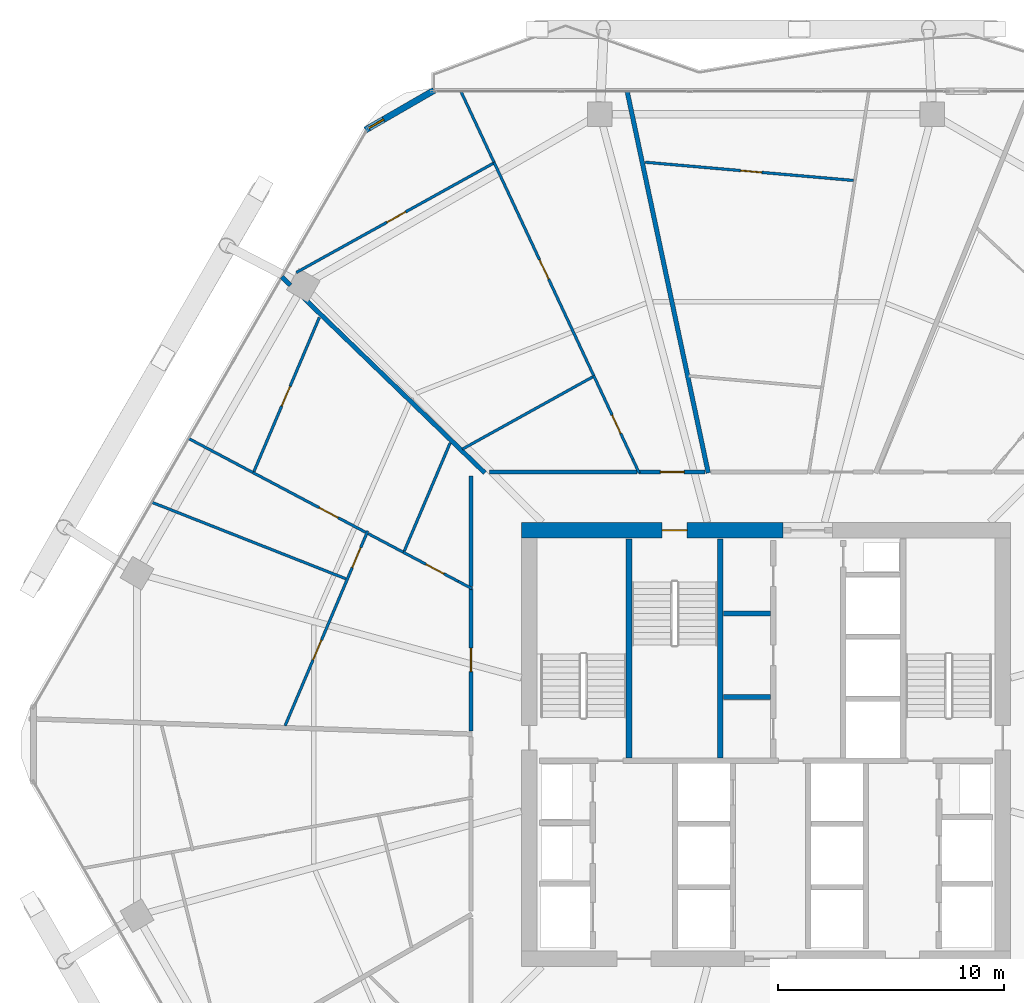
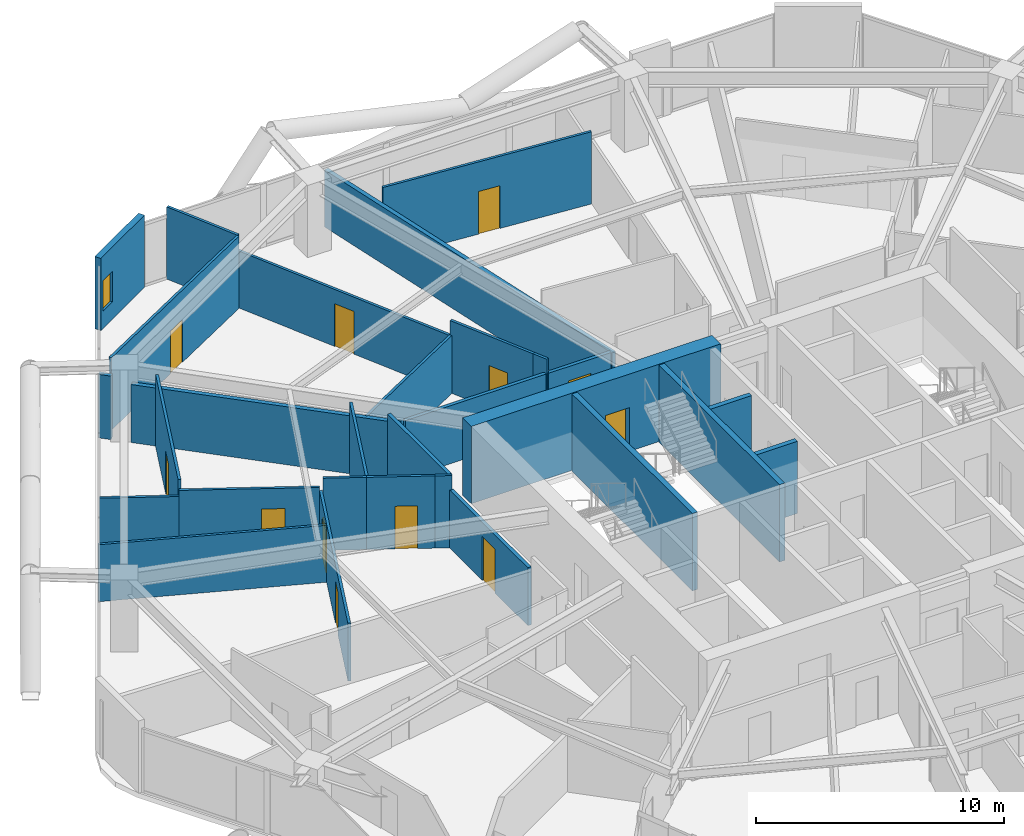
# One storey, part 30 of 35: 29 walls, 12 doors, 1 window, 13 openings.
"""IFC4 building model written with IfcOpenShell, lengths in metres."""

from ifc_helpers import new_model, si_unit, direction, frame, frame_2d, origin, place, context, subcontext, project, spatial, rectangle, extrude, material, layer, layer_set, type_object, element, fill, save


model = new_model("IFC4")

# Units and contexts
model_context = context("Model", 3, precision=1e-05, world=origin(), true_north=direction((0.0, 1.0)))
body_context = subcontext(model_context, "Body", "Model", "MODEL_VIEW")
ifc_project = project(units=[si_unit("LENGTHUNIT", "METRE"), si_unit("AREAUNIT", "SQUARE_METRE"), si_unit("VOLUMEUNIT", "CUBIC_METRE"), si_unit("PLANEANGLEUNIT", "RADIAN"), si_unit("MASSUNIT", "GRAM", prefix="KILO")], contexts=[model_context])

# Site, building, storey
site_placement = place(None, origin())
site = spatial("IfcSite", under=ifc_project, at=site_placement, CompositionType="ELEMENT")
building_placement = place(site_placement, origin())
building = spatial("IfcBuilding", under=site, at=building_placement, Name="Zuhravey Tower", CompositionType="ELEMENT")
storey_placement = place(building_placement, frame((0.0, 0.0, 138.0)))
storey = spatial("IfcBuildingStorey", under=building, at=storey_placement, Name="L34", CompositionType="ELEMENT", Elevation=138.0)

# Wall, opening, door
ifc_material_1 = material(Name="Concrete C60/75", Category="concrete")
ifc_layer_1 = layer(ifc_material_1, 0.699951171875)
ifc_layer_set_1 = layer_set([ifc_layer_1], Name="Concrete C60/75")
wall_type_1 = type_object("IfcWallType", Name="Core Shear Wall 700", PredefinedType="SHEAR", material=ifc_layer_set_1)
wall_1_placement = place(storey_placement, frame((36.75, 41.5, 0.0), z_axis=(0.0, 0.0, 1.0), x_axis=(-1.0, 0.0, 0.0)))
wall_1 = element("IfcWall", 1, at=wall_1_placement, inside=storey, type_object=wall_type_1, Name="L34 North-West Core Shear Wall CW70", PredefinedType="SHEAR", context=body_context, shape_type="SweptSolid", body=[
    extrude(rectangle(XDim=11.60009765625, YDim=0.699951171875, at=frame_2d((5.800048828125, 0.0))), origin(), (0.0, 0.0, 1.0), 3.800048828125),
])
opening_1_placement = place(wall_1_placement, frame((4.25, 0.0, 0.0)))
opening_1 = element("IfcOpeningElement", 2, at=opening_1_placement, cuts=wall_1, Name="Opening STD1", PredefinedType="OPENING", context=body_context, shape_type="SweptSolid", body=[
    extrude(rectangle(XDim=1.10009765625, YDim=2.14990234375, at=frame_2d((0.550048828125, 1.074951171875))), frame((0.0, 0.362060546875, 0.0), z_axis=(0.0, -1.0, 0.0), x_axis=(1.0, 0.0, 0.0)), (0.0, 0.0, 1.0), 0.723876953125),
])
ifc_material_2 = material(Name="Galvanised fire-rated steel leaf", Category="steel")
door_type_1 = type_object("IfcDoorType", Name="Protected Stair Fire Door 1100x2150", OperationType="NOTDEFINED", PredefinedType="USERDEFINED", material=ifc_material_2)
door_1_placement = place(opening_1_placement, origin())
door_1 = element("IfcDoor", 3, at=door_1_placement, inside=storey, type_object=door_type_1, Name="L34 Stair ST3 Door", ObjectType="EXITDOOR", OperationType="SINGLE_SWING_RIGHT", OverallHeight=2.14990234375, OverallWidth=1.10009765625, PredefinedType="USERDEFINED", context=body_context, shape_type="SweptSolid", body=[
    extrude(rectangle(XDim=1.10009765625, YDim=2.14990234375, at=frame_2d((0.550048828125, 1.074951171875))), frame((0.0, 0.02490234375, 0.0), z_axis=(0.0, -1.0, 0.0), x_axis=(1.0, 0.0, 0.0)), (0.0, 0.0, 1.0), 0.050048828125),
])
fill(opening_1, door_1)

ifc_material_3 = material(Name="Gypsum fire-rated stud partition")
ifc_layer_2 = layer(ifc_material_3, 0.159912109375)
ifc_layer_set_2 = layer_set([ifc_layer_2], Name="Gypsum fire-rated stud partition")
wall_type_2 = type_object("IfcWallType", Name="Corridor Fire Partition 160", PredefinedType="PARTITIONING", material=ifc_layer_set_2)
wall_2_placement = place(storey_placement, frame((33.301513671875, 44.080078125, 0.0), z_axis=(0.0, 0.0, 1.0), x_axis=(-1.0, 0.0, 0.0)))
wall_2 = element("IfcWall", 4, at=wall_2_placement, inside=storey, type_object=wall_type_2, Name="L34 IW16 Partition 032", PredefinedType="PARTITIONING", context=body_context, shape_type="SweptSolid", body=[
    extrude(rectangle(XDim=2.922607421875, YDim=0.159912109375, at=frame_2d((1.46142578125, 0.0))), origin(), (0.0, 0.0, 1.0), 2.85009765625),
])
opening_2_placement = place(wall_2_placement, frame((0.936279296875, 0.0, 0.0)))
opening_2 = element("IfcOpeningElement", 5, at=opening_2_placement, cuts=wall_2, Name="Opening APD1", PredefinedType="OPENING", context=body_context, shape_type="SweptSolid", body=[
    extrude(rectangle(XDim=1.050048828125, YDim=2.14990234375, at=frame_2d((0.52490234375, 1.074951171875))), frame((0.0, 0.092041015625, 0.0), z_axis=(0.0, -1.0, 0.0), x_axis=(1.0, 0.0, 0.0)), (0.0, 0.0, 1.0), 0.183837890625),
])
ifc_material_4 = material(Name="Solid-core oak fire-rated leaf")
door_type_2 = type_object("IfcDoorType", Name="Apartment Entrance Fire Door 1050x2150", OperationType="NOTDEFINED", PredefinedType="DOOR", material=ifc_material_4)
door_2_placement = place(opening_2_placement, frame((1.050048828125, 0.0, 0.0), z_axis=(0.0, 0.0, 1.0), x_axis=(-1.0, 0.0, 0.0)))
door_2 = element("IfcDoor", 6, at=door_2_placement, inside=storey, type_object=door_type_2, Name="L34 Door 032.1", OperationType="SINGLE_SWING_RIGHT", OverallHeight=2.14990234375, OverallWidth=1.050048828125, PredefinedType="DOOR", context=body_context, shape_type="SweptSolid", body=[
    extrude(rectangle(XDim=1.050048828125, YDim=2.14990234375, at=frame_2d((0.52490234375, 1.074951171875))), frame((0.0, 0.02490234375, 0.0), z_axis=(0.0, -1.0, 0.0), x_axis=(1.0, 0.0, 0.0)), (0.0, 0.0, 1.0), 0.050048828125),
])
fill(opening_2, door_2)

wall_3_placement = place(storey_placement, frame((22.919921875, 38.90869140625, 0.0), z_axis=(0.0, 0.0, 1.0), x_axis=(0.0, -1.0, 0.0)))
wall_3 = element("IfcWall", 7, at=wall_3_placement, inside=storey, type_object=wall_type_2, Name="L34 IW16 Partition 038", PredefinedType="PARTITIONING", context=body_context, shape_type="SweptSolid", body=[
    extrude(rectangle(XDim=6.317626953125, YDim=0.159912109375, at=frame_2d((3.15869140625, 0.0))), origin(), (0.0, 0.0, 1.0), 2.85009765625),
])
opening_3_placement = place(wall_3_placement, frame((2.6337890625, 0.0, 0.0)))
opening_3 = element("IfcOpeningElement", 8, at=opening_3_placement, cuts=wall_3, Name="Opening APD1", PredefinedType="OPENING", context=body_context, shape_type="SweptSolid", body=[
    extrude(rectangle(XDim=1.050048828125, YDim=2.14990234375, at=frame_2d((0.52490234375, 1.074951171875))), frame((0.0, 0.092041015625, 0.0), z_axis=(0.0, -1.0, 0.0), x_axis=(1.0, 0.0, 0.0)), (0.0, 0.0, 1.0), 0.183837890625),
])
door_3_placement = place(opening_3_placement, frame((1.050048828125, 0.0, 0.0), z_axis=(0.0, 0.0, 1.0), x_axis=(-1.0, 0.0, 0.0)))
door_3 = element("IfcDoor", 9, at=door_3_placement, inside=storey, type_object=door_type_2, Name="L34 Door 038.1", OperationType="SINGLE_SWING_RIGHT", OverallHeight=2.14990234375, OverallWidth=1.050048828125, PredefinedType="DOOR", context=body_context, shape_type="SweptSolid", body=[
    extrude(rectangle(XDim=1.050048828125, YDim=2.14990234375, at=frame_2d((0.52490234375, 1.074951171875))), frame((0.0, 0.02490234375, 0.0), z_axis=(0.0, -1.0, 0.0), x_axis=(1.0, 0.0, 0.0)), (0.0, 0.0, 1.0), 0.050048828125),
])
fill(opening_3, door_3)

# Walls
wall_4_placement = place(storey_placement, frame((30.28173828125, 44.080078125, 0.0), z_axis=(0.0, 0.0, 1.0), x_axis=(-1.0, 0.0, 0.0)))
element("IfcWall", 10, at=wall_4_placement, inside=storey, type_object=wall_type_2, Name="L34 IW16 Partition 124", PredefinedType="PARTITIONING", context=body_context, shape_type="SweptSolid", body=[
    extrude(rectangle(XDim=6.5458984375, YDim=0.159912109375, at=frame_2d((3.27294921875, 0.0))), origin(), (0.0, 0.0, 1.0), 2.85009765625),
])
wall_5_placement = place(storey_placement, frame((22.919921875, 43.89990234375, 0.0), z_axis=(0.0, 0.0, 1.0), x_axis=(0.0, -1.0, 0.0)))
element("IfcWall", 11, at=wall_5_placement, inside=storey, type_object=wall_type_2, Name="L34 IW16 Partition 125", PredefinedType="PARTITIONING", context=body_context, shape_type="SweptSolid", body=[
    extrude(rectangle(XDim=4.8916015625, YDim=0.159912109375, at=frame_2d((2.44580078125, 0.0))), origin(), (0.0, 0.0, 1.0), 3.550048828125),
])

# Wall, opening, window
ifc_material_5 = material(Name="Precast concrete C40/50", Category="concrete")
ifc_layer_3 = layer(ifc_material_5, 0.280029296875)
ifc_layer_set_3 = layer_set([ifc_layer_3], Name="Precast concrete C40/50")
wall_type_3 = type_object("IfcWallType", Name="Crown Architectural Wall 280", PredefinedType="SOLIDWALL", material=ifc_layer_set_3)
wall_6_placement = place(storey_placement, frame((18.23876953125, 59.24853515625, 0.0), z_axis=(0.0, 0.0, 1.0), x_axis=(0.866007452331, 0.500031091541, 0.0)))
wall_6 = element("IfcWall", 12, at=wall_6_placement, inside=storey, type_object=wall_type_3, Name="L34 Rounded Corner Closure Wall EW28-08", PredefinedType="SOLIDWALL", context=body_context, shape_type="SweptSolid", body=[
    extrude(rectangle(XDim=3.514892578125, YDim=0.280029296875, at=frame_2d((1.75732421875, 0.0))), origin(), (0.0, 0.0, 1.0), 3.550048828125),
])
opening_4_placement = place(wall_6_placement, frame((0.18212890625, 0.0, 0.85009765625)))
opening_4 = element("IfcOpeningElement", 13, at=opening_4_placement, cuts=wall_6, Name="Opening WN5", PredefinedType="OPENING", context=body_context, shape_type="SweptSolid", body=[
    extrude(rectangle(XDim=0.75, YDim=1.5, at=frame_2d((0.375, 0.75))), frame((0.0, 0.152099609375, 0.0), z_axis=(0.0, -1.0, 0.0), x_axis=(1.0, 0.0, 0.0)), (0.0, 0.0, 1.0), 0.303955078125),
])
ifc_material_6 = material(Name="Thermally broken aluminium and triple low-E glass", Category="aluminium")
window_type = type_object("IfcWindowType", Name="Residential Corner Casement Window 750x1500", PartitioningType="SINGLE_PANEL", PredefinedType="WINDOW", material=ifc_material_6)
window_placement = place(opening_4_placement, origin())
window = element("IfcWindow", 14, at=window_placement, inside=storey, type_object=window_type, Name="L34 Corner Casement Window WN5-08.1", OverallHeight=1.5, OverallWidth=0.75, PartitioningType="SINGLE_PANEL", PredefinedType="WINDOW", context=body_context, shape_type="SweptSolid", body=[
    extrude(rectangle(XDim=0.75, YDim=1.5, at=frame_2d((0.375, 0.75))), frame((0.0, 0.030029296875, 0.0), z_axis=(0.0, -1.0, 0.0), x_axis=(1.0, 0.0, 0.0)), (0.0, 0.0, 1.0), 0.06005859375),
])
fill(opening_4, window)

# Walls
ifc_material_7 = material(Name="Concrete C50/60", Category="concrete")
ifc_layer_4 = layer(ifc_material_7, 0.25)
ifc_layer_set_4 = layer_set([ifc_layer_4], Name="Concrete C50/60")
wall_type_4 = type_object("IfcWallType", Name="Firefighting Shaft & Stair Wall 250", PredefinedType="SOLIDWALL", material=ifc_layer_set_4)
for number, where, z_axis, x_axis, name in (
    (15, (29.925048828125, 31.39990234375, 0.0), (0.0, 0.0, 1.0), (0.0, 1.0, 0.0), "L34 FW25 Shaft Wall 004"),
    (16, (33.97509765625, 31.39990234375, 0.0), (0.0, 0.0, 1.0), (0.0, 1.0, 0.0), "L34 FW25 Shaft Wall 005"),
):
    element("IfcWall", number, at=place(storey_placement, frame(where, z_axis=z_axis, x_axis=x_axis)), inside=storey, type_object=wall_type_4, Name=name, PredefinedType="SOLIDWALL", context=body_context, shape_type="SweptSolid", body=[
        extrude(rectangle(XDim=9.7001953125, YDim=0.25, at=frame_2d((4.85009765625, 0.0))), origin(), (0.0, 0.0, 1.0), 3.800048828125),
    ])
ifc_material_8 = material(Name="Gypsum double-stud party assembly")
ifc_layer_5 = layer(ifc_material_8, 0.199951171875)
ifc_layer_set_5 = layer_set([ifc_layer_5], Name="Gypsum double-stud party assembly")
wall_type_5 = type_object("IfcWallType", Name="Inter-Tenancy Party Wall 200", PredefinedType="PARTITIONING", material=ifc_layer_set_5)
wall_7_placement = place(storey_placement, frame((33.44091796875, 44.0400390625, 0.0), z_axis=(0.0, 0.0, 1.0), x_axis=(-0.207915139831, 0.978146867617, 0.0)))
element("IfcWall", 17, at=wall_7_placement, inside=storey, type_object=wall_type_5, Name="L34 IW20 Partition 084", PredefinedType="PARTITIONING", context=body_context, shape_type="SweptSolid", body=[
    extrude(rectangle(XDim=17.29638671875, YDim=0.199951171875, at=frame_2d((8.648193359375, 0.0))), origin(), (0.0, 0.0, 1.0), 2.800048828125),
])
wall_8_placement = place(storey_placement, frame((23.5322265625, 44.0400390625, 0.0), z_axis=(0.0, 0.0, 1.0), x_axis=(-0.719346007821, 0.694651942365, 0.0)))
element("IfcWall", 18, at=wall_8_placement, inside=storey, type_object=wall_type_5, Name="L34 IW20 Partition 088", PredefinedType="PARTITIONING", context=body_context, shape_type="SweptSolid", body=[
    extrude(rectangle(XDim=11.152099609375, YDim=0.199951171875, at=frame_2d((5.576171875, 0.0))), origin(), (0.0, 0.0, 1.0), 2.85009765625),
])
wall_9_placement = place(storey_placement, frame((14.910888671875, 52.365478515625, 0.0), z_axis=(0.0, 0.0, 1.0), x_axis=(-0.719257985061, 0.694743082676, 0.0)))
element("IfcWall", 19, at=wall_9_placement, inside=storey, type_object=wall_type_5, Name="L34 IW20 Partition 089", PredefinedType="PARTITIONING", context=body_context, shape_type="SweptSolid", body=[
    extrude(rectangle(XDim=0.52783203125, YDim=0.199951171875, at=frame_2d((0.263916015625, 0.0))), origin(), (0.0, 0.0, 1.0), 3.1220703125),
])
ifc_material_9 = material(Name="Gypsum acoustic stud assembly")
ifc_layer_6 = layer(ifc_material_9, 0.219970703125)
ifc_layer_set_6 = layer_set([ifc_layer_6], Name="Gypsum acoustic stud assembly")
wall_type_6 = type_object("IfcWallType", Name="School Acoustic Compartment Wall 220", PredefinedType="PARTITIONING", material=ifc_layer_set_6)
for number, where, z_axis, x_axis, name in (
    (20, (34.10791015625, 34.10009765625, 0.0), (0.0, 0.0, 1.0), (1.0, 0.0, 0.0), "L34 IW22 Partition 066"),
    (21, (34.10791015625, 37.800048828125, 0.0), (0.0, 0.0, 1.0), (1.0, 0.0, 0.0), "L34 IW22 Partition 067"),
):
    element("IfcWall", number, at=place(storey_placement, frame(where, z_axis=z_axis, x_axis=x_axis)), inside=storey, type_object=wall_type_6, Name=name, PredefinedType="PARTITIONING", context=body_context, shape_type="SweptSolid", body=[
        extrude(rectangle(XDim=2.083984375, YDim=0.219970703125, at=frame_2d((1.0419921875, 0.0))), origin(), (0.0, 0.0, 1.0), 3.550048828125),
    ])

# Wall, opening, door
ifc_material_10 = material(Name="Gypsum metal-stud partition")
ifc_layer_7 = layer(ifc_material_10, 0.1201171875)
ifc_layer_set_7 = layer_set([ifc_layer_7], Name="Gypsum metal-stud partition")
wall_type_7 = type_object("IfcWallType", Name="Unit Internal Partition 120", PredefinedType="PARTITIONING", material=ifc_layer_set_7)
wall_10_placement = place(storey_placement, frame((39.87451171875, 57.010498046875, 0.0), z_axis=(0.0, 0.0, 1.0), x_axis=(-0.996195462129, 0.087147009318, 0.0)))
wall_10 = element("IfcWall", 22, at=wall_10_placement, inside=storey, type_object=wall_type_7, Name="L34 IW12 Partition 027", PredefinedType="PARTITIONING", context=body_context, shape_type="SweptSolid", body=[
    extrude(rectangle(XDim=9.264404296875, YDim=0.1201171875, at=frame_2d((4.63232421875, 0.0))), origin(), (0.0, 0.0, 1.0), 3.550048828125),
])
opening_5_placement = place(wall_10_placement, frame((4.072998046875, 0.0, 0.0)))
opening_5 = element("IfcOpeningElement", 23, at=opening_5_placement, cuts=wall_10, Name="Opening IND1", PredefinedType="OPENING", context=body_context, shape_type="SweptSolid", body=[
    extrude(rectangle(XDim=0.949951171875, YDim=2.10009765625, at=frame_2d((0.47509765625, 1.050048828125))), frame((0.0, 0.072021484375, 0.0), z_axis=(0.0, -1.0, 0.0), x_axis=(1.0, 0.0, 0.0)), (0.0, 0.0, 1.0), 0.14404296875),
])
ifc_material_11 = material(Name="Painted engineered timber leaf", Category="wood")
door_type_3 = type_object("IfcDoorType", Name="Internal Room & Bedroom Door 950x2100", OperationType="NOTDEFINED", PredefinedType="DOOR", material=ifc_material_11)
door_4_placement = place(opening_5_placement, frame((0.949951171875, 0.0, 0.0), z_axis=(0.0, 0.0, 1.0), x_axis=(-1.0, 0.0, 0.0)))
door_4 = element("IfcDoor", 24, at=door_4_placement, inside=storey, type_object=door_type_3, Name="Apartment L34-02 Bedroom 1 Door", OperationType="SINGLE_SWING_LEFT", OverallHeight=2.10009765625, OverallWidth=0.949951171875, PredefinedType="DOOR", context=body_context, shape_type="SweptSolid", body=[
    extrude(rectangle(XDim=0.949951171875, YDim=2.10009765625, at=frame_2d((0.47509765625, 1.050048828125))), frame((0.0, 0.02490234375, 0.0), z_axis=(0.0, -1.0, 0.0), x_axis=(1.0, 0.0, 0.0)), (0.0, 0.0, 1.0), 0.050048828125),
])
fill(opening_5, door_4)

wall_11_placement = place(storey_placement, frame((30.090576171875, 44.64990234375, 0.0), z_axis=(0.0, 0.0, 1.0), x_axis=(-0.423251766224, 0.906012109405, 0.0)))
wall_11 = element("IfcWall", 25, at=wall_11_placement, inside=storey, type_object=wall_type_7, Name="L34 IW12 Partition 029", PredefinedType="PARTITIONING", context=body_context, shape_type="SweptSolid", body=[
    extrude(rectangle(XDim=4.086181640625, YDim=0.1201171875, at=frame_2d((2.04296875, 0.0))), origin(), (0.0, 0.0, 1.0), 3.550048828125),
])
opening_6_placement = place(wall_11_placement, frame((1.26611328125, 0.0, 0.0)))
opening_6 = element("IfcOpeningElement", 26, at=opening_6_placement, cuts=wall_11, Name="Opening WCD1", PredefinedType="OPENING", context=body_context, shape_type="SweptSolid", body=[
    extrude(rectangle(XDim=0.89990234375, YDim=2.10009765625, at=frame_2d((0.449951171875, 1.050048828125))), frame((0.0, 0.072021484375, 0.0), z_axis=(0.0, -1.0, 0.0), x_axis=(1.0, 0.0, 0.0)), (0.0, 0.0, 1.0), 0.14404296875),
])
ifc_material_12 = material(Name="Moisture-resistant timber leaf", Category="wood")
door_type_4 = type_object("IfcDoorType", Name="Bathroom & WC Internal Door 900x2100", OperationType="NOTDEFINED", PredefinedType="DOOR", material=ifc_material_12)
door_5_placement = place(opening_6_placement, origin())
door_5 = element("IfcDoor", 27, at=door_5_placement, inside=storey, type_object=door_type_4, Name="Apartment L34-03 Bathroom Door", OperationType="SINGLE_SWING_LEFT", OverallHeight=2.10009765625, OverallWidth=0.89990234375, PredefinedType="DOOR", context=body_context, shape_type="SweptSolid", body=[
    extrude(rectangle(XDim=0.89990234375, YDim=2.10009765625, at=frame_2d((0.449951171875, 1.050048828125))), frame((0.0, 0.02490234375, 0.0), z_axis=(0.0, -1.0, 0.0), x_axis=(1.0, 0.0, 0.0)), (0.0, 0.0, 1.0), 0.050048828125),
])
fill(opening_6, door_5)

wall_12_placement = place(storey_placement, frame((28.361083984375, 48.35205078125, 0.0), z_axis=(0.0, 0.0, 1.0), x_axis=(-0.423271837067, 0.906002732858, 0.0)))
wall_12 = element("IfcWall", 28, at=wall_12_placement, inside=storey, type_object=wall_type_7, Name="L34 IW12 Partition 030", PredefinedType="PARTITIONING", context=body_context, shape_type="SweptSolid", body=[
    extrude(rectangle(XDim=10.44580078125, YDim=0.1201171875, at=frame_2d((5.222900390625, 0.0))), origin(), (0.0, 0.0, 1.0), 2.800048828125),
])
opening_7_placement = place(wall_12_placement, frame((4.722900390625, 0.0, 0.0)))
opening_7 = element("IfcOpeningElement", 29, at=opening_7_placement, cuts=wall_12, Name="Opening IND1", PredefinedType="OPENING", context=body_context, shape_type="SweptSolid", body=[
    extrude(rectangle(XDim=0.949951171875, YDim=2.10009765625, at=frame_2d((0.47509765625, 1.050048828125))), frame((0.0, 0.072021484375, 0.0), z_axis=(0.0, -1.0, 0.0), x_axis=(1.0, 0.0, 0.0)), (0.0, 0.0, 1.0), 0.14404296875),
])
door_6_placement = place(opening_7_placement, origin())
door_6 = element("IfcDoor", 30, at=door_6_placement, inside=storey, type_object=door_type_3, Name="Apartment L34-03 Home Office Door", OperationType="SINGLE_SWING_RIGHT", OverallHeight=2.10009765625, OverallWidth=0.949951171875, PredefinedType="DOOR", context=body_context, shape_type="SweptSolid", body=[
    extrude(rectangle(XDim=0.949951171875, YDim=2.10009765625, at=frame_2d((0.47509765625, 1.050048828125))), frame((0.0, 0.02490234375, 0.0), z_axis=(0.0, -1.0, 0.0), x_axis=(1.0, 0.0, 0.0)), (0.0, 0.0, 1.0), 0.050048828125),
])
fill(opening_7, door_6)

wall_13_placement = place(storey_placement, frame((23.890869140625, 57.76025390625, 0.0), z_axis=(0.0, 0.0, 1.0), x_axis=(-0.87462699722, -0.48479646836, 0.0)))
wall_13 = element("IfcWall", 31, at=wall_13_placement, inside=storey, type_object=wall_type_7, Name="L34 IW12 Partition 031", PredefinedType="PARTITIONING", context=body_context, shape_type="SweptSolid", body=[
    extrude(rectangle(XDim=9.9697265625, YDim=0.1201171875, at=frame_2d((4.98486328125, 0.0))), origin(), (0.0, 0.0, 1.0), 3.550048828125),
])
opening_8_placement = place(wall_13_placement, frame((4.425537109375, 0.0, 0.0)))
opening_8 = element("IfcOpeningElement", 32, at=opening_8_placement, cuts=wall_13, Name="Opening IND1", PredefinedType="OPENING", context=body_context, shape_type="SweptSolid", body=[
    extrude(rectangle(XDim=0.949951171875, YDim=2.10009765625, at=frame_2d((0.47509765625, 1.050048828125))), frame((0.0, 0.072021484375, 0.0), z_axis=(0.0, -1.0, 0.0), x_axis=(1.0, 0.0, 0.0)), (0.0, 0.0, 1.0), 0.14404296875),
])
door_7_placement = place(opening_8_placement, frame((0.949951171875, 0.0, 0.0), z_axis=(0.0, 0.0, 1.0), x_axis=(-1.0, 0.0, 0.0)))
door_7 = element("IfcDoor", 33, at=door_7_placement, inside=storey, type_object=door_type_3, Name="Apartment L34-03 Bedroom 1 Door", OperationType="SINGLE_SWING_LEFT", OverallHeight=2.10009765625, OverallWidth=0.949951171875, PredefinedType="DOOR", context=body_context, shape_type="SweptSolid", body=[
    extrude(rectangle(XDim=0.949951171875, YDim=2.10009765625, at=frame_2d((0.47509765625, 1.050048828125))), frame((0.0, 0.02490234375, 0.0), z_axis=(0.0, -1.0, 0.0), x_axis=(1.0, 0.0, 0.0)), (0.0, 0.0, 1.0), 0.050048828125),
])
fill(opening_8, door_7)

# Wall, openings, doors
wall_14_placement = place(storey_placement, frame((18.343017578125, 41.469970703125, 0.0), z_axis=(0.0, 0.0, 1.0), x_axis=(-0.39072086033, -0.92050921196, 0.0)))
wall_14 = element("IfcWall", 34, at=wall_14_placement, inside=storey, type_object=wall_type_7, Name="L34 IW12 Partition 033", PredefinedType="PARTITIONING", context=body_context, shape_type="SweptSolid", body=[
    extrude(rectangle(XDim=9.38525390625, YDim=0.1201171875, at=frame_2d((4.692626953125, 0.0))), origin(), (0.0, 0.0, 1.0), 2.85009765625),
])
opening_9_placement = place(wall_14_placement, frame((0.81201171875, 0.0, 0.0)))
opening_9 = element("IfcOpeningElement", 35, at=opening_9_placement, cuts=wall_14, Name="Opening IND1", PredefinedType="OPENING", context=body_context, shape_type="SweptSolid", body=[
    extrude(rectangle(XDim=0.949951171875, YDim=2.10009765625, at=frame_2d((0.47509765625, 1.050048828125))), frame((0.0, 0.072021484375, 0.0), z_axis=(0.0, -1.0, 0.0), x_axis=(1.0, 0.0, 0.0)), (0.0, 0.0, 1.0), 0.14404296875),
])
opening_10_placement = place(wall_14_placement, frame((5.2646484375, 0.0, 0.0)))
opening_10 = element("IfcOpeningElement", 36, at=opening_10_placement, cuts=wall_14, Name="Opening IND1", PredefinedType="OPENING", context=body_context, shape_type="SweptSolid", body=[
    extrude(rectangle(XDim=0.949951171875, YDim=2.10009765625, at=frame_2d((0.47509765625, 1.050048828125))), frame((0.0, 0.072021484375, 0.0), z_axis=(0.0, -1.0, 0.0), x_axis=(1.0, 0.0, 0.0)), (0.0, 0.0, 1.0), 0.14404296875),
])
door_8_placement = place(opening_9_placement, frame((0.949951171875, 0.0, 0.0), z_axis=(0.0, 0.0, 1.0), x_axis=(-1.0, 0.0, 0.0)))
door_8 = element("IfcDoor", 37, at=door_8_placement, inside=storey, type_object=door_type_3, Name="Apartment L34-04 Family Study Door", OperationType="SINGLE_SWING_LEFT", OverallHeight=2.10009765625, OverallWidth=0.949951171875, PredefinedType="DOOR", context=body_context, shape_type="SweptSolid", body=[
    extrude(rectangle(XDim=0.949951171875, YDim=2.10009765625, at=frame_2d((0.47509765625, 1.050048828125))), frame((0.0, 0.02490234375, 0.0), z_axis=(0.0, -1.0, 0.0), x_axis=(1.0, 0.0, 0.0)), (0.0, 0.0, 1.0), 0.050048828125),
])
fill(opening_9, door_8)
door_9_placement = place(opening_10_placement, frame((0.949951171875, 0.0, 0.0), z_axis=(0.0, 0.0, 1.0), x_axis=(-1.0, 0.0, 0.0)))
door_9 = element("IfcDoor", 38, at=door_9_placement, inside=storey, type_object=door_type_3, Name="Apartment L34-04 Dining Room Door", OperationType="SINGLE_SWING_RIGHT", OverallHeight=2.10009765625, OverallWidth=0.949951171875, PredefinedType="DOOR", context=body_context, shape_type="SweptSolid", body=[
    extrude(rectangle(XDim=0.949951171875, YDim=2.10009765625, at=frame_2d((0.47509765625, 1.050048828125))), frame((0.0, 0.02490234375, 0.0), z_axis=(0.0, -1.0, 0.0), x_axis=(1.0, 0.0, 0.0)), (0.0, 0.0, 1.0), 0.050048828125),
])
fill(opening_10, door_9)

# Wall, opening, door
wall_15_placement = place(storey_placement, frame((22.35009765625, 39.2333984375, 0.0), z_axis=(0.0, 0.0, 1.0), x_axis=(-0.883615720344, 0.468212834896, 0.0)))
wall_15 = element("IfcWall", 39, at=wall_15_placement, inside=storey, type_object=wall_type_7, Name="L34 IW12 Partition 034", PredefinedType="PARTITIONING", context=body_context, shape_type="SweptSolid", body=[
    extrude(rectangle(XDim=2.760009765625, YDim=0.1201171875, at=frame_2d((1.3798828125, 0.0))), origin(), (0.0, 0.0, 1.0), 3.550048828125),
])
opening_11_placement = place(wall_15_placement, frame((0.708984375, 0.0, 0.0)))
opening_11 = element("IfcOpeningElement", 40, at=opening_11_placement, cuts=wall_15, Name="Opening WCD1", PredefinedType="OPENING", context=body_context, shape_type="SweptSolid", body=[
    extrude(rectangle(XDim=0.89990234375, YDim=2.10009765625, at=frame_2d((0.449951171875, 1.050048828125))), frame((0.0, 0.072021484375, 0.0), z_axis=(0.0, -1.0, 0.0), x_axis=(1.0, 0.0, 0.0)), (0.0, 0.0, 1.0), 0.14404296875),
])
door_10_placement = place(opening_11_placement, frame((0.89990234375, 0.0, 0.0), z_axis=(0.0, 0.0, 1.0), x_axis=(-1.0, 0.0, 0.0)))
door_10 = element("IfcDoor", 41, at=door_10_placement, inside=storey, type_object=door_type_4, Name="Apartment L34-04 Bathroom Door", OperationType="SINGLE_SWING_LEFT", OverallHeight=2.10009765625, OverallWidth=0.89990234375, PredefinedType="DOOR", context=body_context, shape_type="SweptSolid", body=[
    extrude(rectangle(XDim=0.89990234375, YDim=2.10009765625, at=frame_2d((0.449951171875, 1.050048828125))), frame((0.0, 0.02490234375, 0.0), z_axis=(0.0, -1.0, 0.0), x_axis=(1.0, 0.0, 0.0)), (0.0, 0.0, 1.0), 0.050048828125),
])
fill(opening_11, door_10)

# Wall
wall_16_placement = place(storey_placement, frame((19.911376953125, 40.525634765625, 0.0), z_axis=(0.0, 0.0, 1.0), x_axis=(-0.883608091298, 0.46822723222, 0.0)))
element("IfcWall", 42, at=wall_16_placement, inside=storey, type_object=wall_type_7, Name="L34 IW12 Partition 035", PredefinedType="PARTITIONING", context=body_context, shape_type="SweptSolid", body=[
    extrude(rectangle(XDim=1.7509765625, YDim=0.1201171875, at=frame_2d((0.87548828125, 0.0))), origin(), (0.0, 0.0, 1.0), 3.550048828125),
])

# Wall, opening, door
wall_17_placement = place(storey_placement, frame((18.24365234375, 41.409423828125, 0.0), z_axis=(0.0, 0.0, 1.0), x_axis=(-0.88359040607, 0.468260605113, 0.0)))
wall_17 = element("IfcWall", 43, at=wall_17_placement, inside=storey, type_object=wall_type_7, Name="L34 IW12 Partition 036", PredefinedType="PARTITIONING", context=body_context, shape_type="SweptSolid", body=[
    extrude(rectangle(XDim=5.65478515625, YDim=0.1201171875, at=frame_2d((2.827392578125, 0.0))), origin(), (0.0, 0.0, 1.0), 3.10009765625),
])
opening_12_placement = place(wall_17_placement, frame((1.383544921875, 0.0, 0.0)))
opening_12 = element("IfcOpeningElement", 44, at=opening_12_placement, cuts=wall_17, Name="Opening IND1", PredefinedType="OPENING", context=body_context, shape_type="SweptSolid", body=[
    extrude(rectangle(XDim=0.949951171875, YDim=2.10009765625, at=frame_2d((0.47509765625, 1.050048828125))), frame((0.0, 0.072021484375, 0.0), z_axis=(0.0, -1.0, 0.0), x_axis=(1.0, 0.0, 0.0)), (0.0, 0.0, 1.0), 0.14404296875),
])
door_11_placement = place(opening_12_placement, frame((0.949951171875, 0.0, 0.0), z_axis=(0.0, 0.0, 1.0), x_axis=(-1.0, 0.0, 0.0)))
door_11 = element("IfcDoor", 45, at=door_11_placement, inside=storey, type_object=door_type_3, Name="Apartment L34-04 Home Office Door", OperationType="SINGLE_SWING_RIGHT", OverallHeight=2.10009765625, OverallWidth=0.949951171875, PredefinedType="DOOR", context=body_context, shape_type="SweptSolid", body=[
    extrude(rectangle(XDim=0.949951171875, YDim=2.10009765625, at=frame_2d((0.47509765625, 1.050048828125))), frame((0.0, 0.02490234375, 0.0), z_axis=(0.0, -1.0, 0.0), x_axis=(1.0, 0.0, 0.0)), (0.0, 0.0, 1.0), 0.050048828125),
])
fill(opening_12, door_11)

wall_18_placement = place(storey_placement, frame((16.193115234375, 50.933837890625, 0.0), z_axis=(0.0, 0.0, 1.0), x_axis=(-0.390729944547, -0.920505356005, 0.0)))
wall_18 = element("IfcWall", 46, at=wall_18_placement, inside=storey, type_object=wall_type_7, Name="L34 IW12 Partition 037", PredefinedType="PARTITIONING", context=body_context, shape_type="SweptSolid", body=[
    extrude(rectangle(XDim=7.414794921875, YDim=0.1201171875, at=frame_2d((3.70751953125, 0.0))), origin(), (0.0, 0.0, 1.0), 3.550048828125),
])
opening_13_placement = place(wall_18_placement, frame((3.31689453125, 0.0, 0.0)))
opening_13 = element("IfcOpeningElement", 47, at=opening_13_placement, cuts=wall_18, Name="Opening IND1", PredefinedType="OPENING", context=body_context, shape_type="SweptSolid", body=[
    extrude(rectangle(XDim=0.949951171875, YDim=2.10009765625, at=frame_2d((0.47509765625, 1.050048828125))), frame((0.0, 0.072021484375, 0.0), z_axis=(0.0, -1.0, 0.0), x_axis=(1.0, 0.0, 0.0)), (0.0, 0.0, 1.0), 0.14404296875),
])
door_12_placement = place(opening_13_placement, frame((0.949951171875, 0.0, 0.0), z_axis=(0.0, 0.0, 1.0), x_axis=(-1.0, 0.0, 0.0)))
door_12 = element("IfcDoor", 48, at=door_12_placement, inside=storey, type_object=door_type_3, Name="Apartment L34-04 Bedroom 1 Door", OperationType="SINGLE_SWING_LEFT", OverallHeight=2.10009765625, OverallWidth=0.949951171875, PredefinedType="DOOR", context=body_context, shape_type="SweptSolid", body=[
    extrude(rectangle(XDim=0.949951171875, YDim=2.10009765625, at=frame_2d((0.47509765625, 1.050048828125))), frame((0.0, 0.02490234375, 0.0), z_axis=(0.0, -1.0, 0.0), x_axis=(1.0, 0.0, 0.0)), (0.0, 0.0, 1.0), 0.050048828125),
])
fill(opening_13, door_12)

# Walls
wall_19_placement = place(storey_placement, frame((30.376708984375, 44.037353515625, 0.0), z_axis=(0.0, 0.0, 1.0), x_axis=(-0.42322150624, 0.906026245015, 0.0)))
element("IfcWall", 49, at=wall_19_placement, inside=storey, type_object=wall_type_7, Name="L34 IW12 Partition 085", PredefinedType="PARTITIONING", context=body_context, shape_type="SweptSolid", body=[
    extrude(rectangle(XDim=0.676025390625, YDim=0.1201171875, at=frame_2d((0.337890625, 0.0))), origin(), (0.0, 0.0, 1.0), 3.550048828125),
])
wall_20_placement = place(storey_placement, frame((23.939697265625, 57.81591796875, 0.0), z_axis=(0.0, 0.0, 1.0), x_axis=(-0.423216309733, 0.906028672381, 0.0)))
element("IfcWall", 50, at=wall_20_placement, inside=storey, type_object=wall_type_7, Name="L34 IW12 Partition 086", PredefinedType="PARTITIONING", context=body_context, shape_type="SweptSolid", body=[
    extrude(rectangle(XDim=3.473876953125, YDim=0.1201171875, at=frame_2d((1.73681640625, 0.0))), origin(), (0.0, 0.0, 1.0), 3.550048828125),
])
wall_21_placement = place(storey_placement, frame((28.31201171875, 48.29638671875, 0.0), z_axis=(0.0, 0.0, 1.0), x_axis=(-0.874618781734, -0.484811289719, 0.0)))
element("IfcWall", 51, at=wall_21_placement, inside=storey, type_object=wall_type_7, Name="L34 IW12 Partition 087", PredefinedType="PARTITIONING", context=body_context, shape_type="SweptSolid", body=[
    extrude(rectangle(XDim=6.60693359375, YDim=0.1201171875, at=frame_2d((3.303466796875, 0.0))), origin(), (0.0, 0.0, 1.0), 2.85009765625),
])
wall_22_placement = place(storey_placement, frame((17.367919921875, 39.346435546875, 0.0), z_axis=(0.0, 0.0, 1.0), x_axis=(-0.93029771215, 0.366805352699, 0.0)))
element("IfcWall", 52, at=wall_22_placement, inside=storey, type_object=wall_type_7, Name="L34 IW12 Partition 090", PredefinedType="PARTITIONING", context=body_context, shape_type="SweptSolid", body=[
    extrude(rectangle(XDim=9.281005859375, YDim=0.1201171875, at=frame_2d((4.640625, 0.0))), origin(), (0.0, 0.0, 1.0), 2.800048828125),
])
wall_23_placement = place(storey_placement, frame((22.962158203125, 38.9091796875, 0.0), z_axis=(0.0, 0.0, 1.0), x_axis=(-0.883676430234, 0.468098244655, 0.0)))
element("IfcWall", 53, at=wall_23_placement, inside=storey, type_object=wall_type_7, Name="L34 IW12 Partition 091", PredefinedType="PARTITIONING", context=body_context, shape_type="SweptSolid", body=[
    extrude(rectangle(XDim=0.692626953125, YDim=0.1201171875, at=frame_2d((0.34619140625, 0.0))), origin(), (0.0, 0.0, 1.0), 3.550048828125),
])
wall_24_placement = place(storey_placement, frame((13.2470703125, 44.057373046875, 0.0), z_axis=(0.0, 0.0, 1.0), x_axis=(-0.883602277007, 0.468238204408, 0.0)))
element("IfcWall", 54, at=wall_24_placement, inside=storey, type_object=wall_type_7, Name="L34 IW12 Partition 092", PredefinedType="PARTITIONING", context=body_context, shape_type="SweptSolid", body=[
    extrude(rectangle(XDim=3.232177734375, YDim=0.1201171875, at=frame_2d((1.6162109375, 0.0))), origin(), (0.0, 0.0, 1.0), 2.800048828125),
])
wall_25_placement = place(storey_placement, frame((21.99609375, 45.373291015625, 0.0), z_axis=(0.0, 0.0, 1.0), x_axis=(-0.390721908243, -0.92050876716, 0.0)))
element("IfcWall", 55, at=wall_25_placement, inside=storey, type_object=wall_type_7, Name="L34 IW12 Partition 093", PredefinedType="PARTITIONING", context=body_context, shape_type="SweptSolid", body=[
    extrude(rectangle(XDim=5.210693359375, YDim=0.1201171875, at=frame_2d((2.60546875, 0.0))), origin(), (0.0, 0.0, 1.0), 3.550048828125),
])

save(model, "model.ifc")
